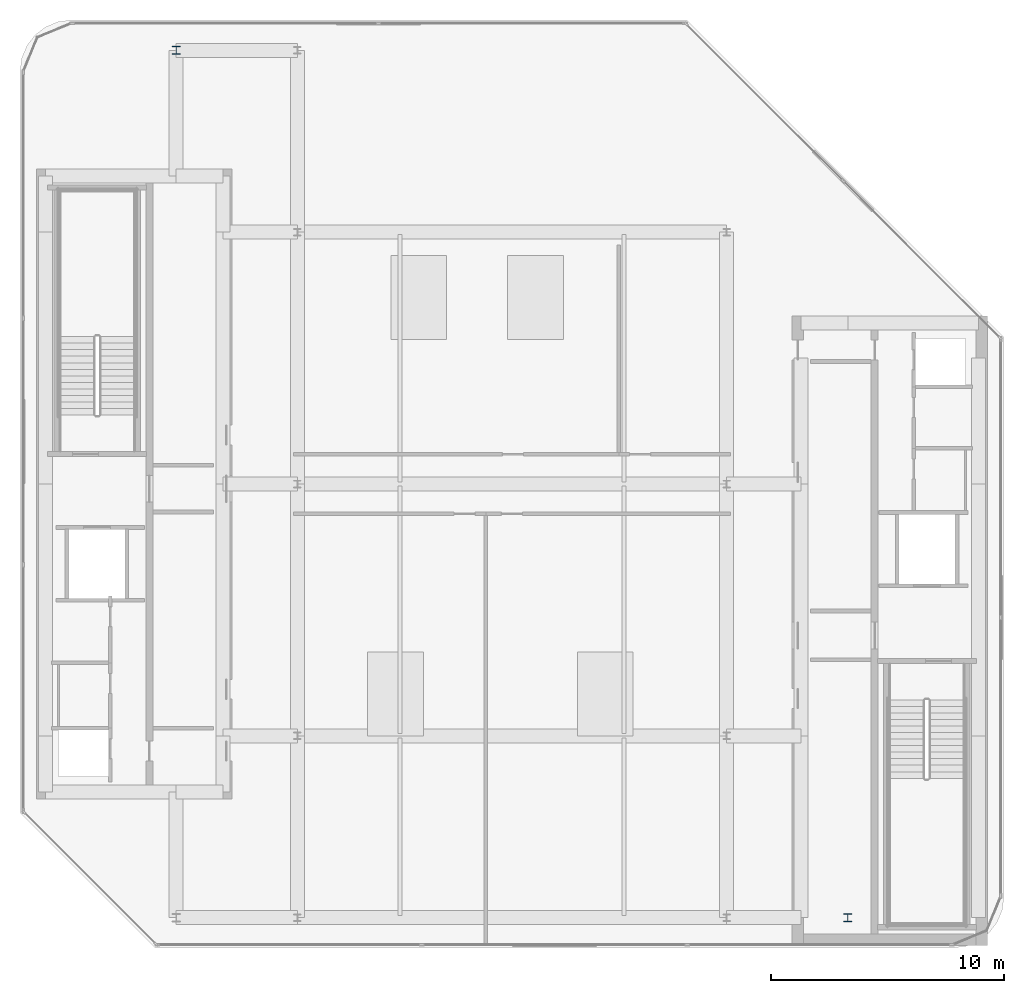
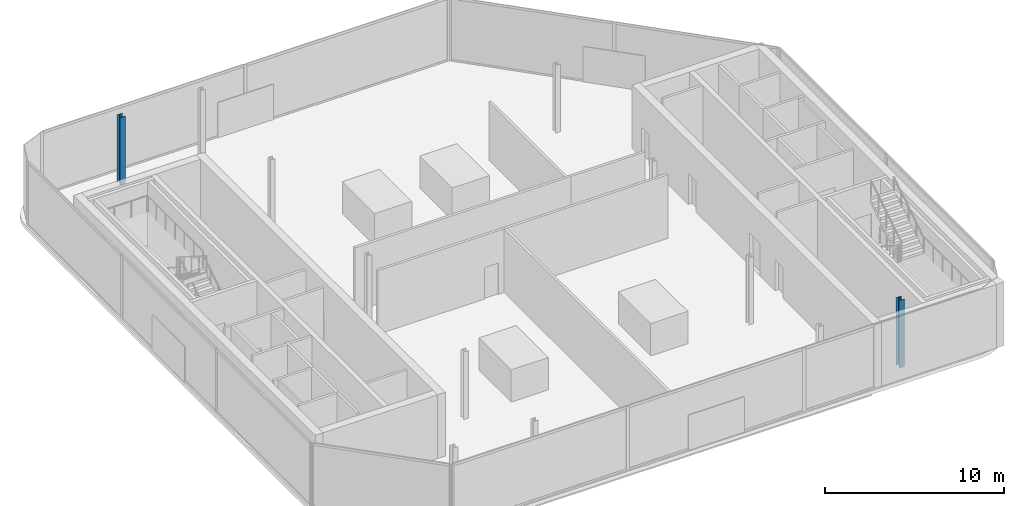
# One storey, part 2 of 15: 2 columns.
"""IFC4 building model written with IfcOpenShell, lengths in metres."""

import ifcopenshell
import ifcopenshell.guid

model = None  # the IFC model being written
_history = None  # IfcOwnerHistory: only IFC2X3 demands one
_inside = {}  # id of a spatial element -> (the spatial element, [elements in it])
_under = {}  # id of a project, library or spatial element -> (it, [spatial elements below it])
_declared = {}  # id of a project -> (the project, [libraries it declares])
_typed = {}  # id of a type object -> (the type object, [elements of that type])
_made_of = {}  # id of a material, layer set ... -> (it, [elements and type objects made of it])


def new_model(schema):
    """Start an empty IFC model of exactly this schema.

    Asked for "IFC4X3", IfcOpenShell would pick the latest addendum, in which some entities
    have other attributes; the version numbers below select the first issue.
    IFC2X3 requires an IfcOwnerHistory on every rooted entity: one is made here for all.
    """
    global model, _history
    if schema == "IFC4X3":
        model = ifcopenshell.file(schema_version=(4, 3, 0, 0))
    else:
        model = ifcopenshell.file(schema=schema)
    _inside.clear()
    _under.clear()
    _declared.clear()
    _typed.clear()
    _made_of.clear()
    _history = None
    if model.schema == "IFC2X3":
        org = make("IfcOrganization", Name="unknown")
        user = make(
            "IfcPersonAndOrganization",
            ThePerson=make("IfcPerson", FamilyName="unknown"),
            TheOrganization=org,
        )
        app = make(
            "IfcApplication",
            ApplicationDeveloper=org,
            Version="unknown",
            ApplicationFullName="unknown",
            ApplicationIdentifier="unknown",
        )
        _history = make(
            "IfcOwnerHistory",
            OwningUser=user,
            OwningApplication=app,
            ChangeAction="ADDED",
            CreationDate=0,
        )
    return model


def make(cls, **values):
    """One entity of the class cls with the attributes given. An attribute that is None is left unset."""
    return model.create_entity(
        cls, **{name: value for name, value in values.items() if value is not None}
    )


def rooted(cls, **values):
    """An entity with a GlobalId (a new one), such as an element, a storey or a relation."""
    return make(cls, GlobalId=ifcopenshell.guid.new(), OwnerHistory=_history, **values)


def si_unit(unit_type, name, prefix=None):
    """IfcSIUnit, for example si_unit("LENGTHUNIT", "METRE", prefix="MILLI")."""
    return make("IfcSIUnit", UnitType=unit_type, Prefix=prefix, Name=name)


def assignment(units):
    """IfcUnitAssignment: the units of a project."""
    return None if units is None else make("IfcUnitAssignment", Units=units)


def point(xyz):
    """IfcCartesianPoint."""
    return None if xyz is None else make("IfcCartesianPoint", Coordinates=xyz)


def direction(xyz):
    """IfcDirection."""
    return None if xyz is None else make("IfcDirection", DirectionRatios=xyz)


def frame(location, z_axis=None, x_axis=None):
    """IfcAxis2Placement3D, a coordinate frame: its origin and axes. An axis left out is left unset."""
    return make(
        "IfcAxis2Placement3D",
        Location=point(location),
        Axis=direction(z_axis),
        RefDirection=direction(x_axis),
    )


def frame_2d(location, x_axis=None):
    """IfcAxis2Placement2D, a coordinate frame in the plane: its origin and x axis."""
    return make(
        "IfcAxis2Placement2D", Location=point(location), RefDirection=direction(x_axis)
    )


def origin():
    """The frame at (0, 0, 0) with its axes left unset."""
    return frame((0.0, 0.0, 0.0))


def origin_2d():
    """The frame at (0, 0) in the plane with its x axis left unset."""
    return frame_2d((0.0, 0.0))


def place(relative_to, where):
    """IfcLocalPlacement: puts the frame where relative to a parent placement (None: the world)."""
    return make(
        "IfcLocalPlacement", PlacementRelTo=relative_to, RelativePlacement=where
    )


def context(
    kind, dimensions, precision=None, world=None, true_north=None, identifier=None
):
    """IfcGeometricRepresentationContext, for example the 3D "Model" context."""
    return make(
        "IfcGeometricRepresentationContext",
        ContextIdentifier=identifier,
        ContextType=kind,
        CoordinateSpaceDimension=dimensions,
        Precision=precision,
        WorldCoordinateSystem=world,
        TrueNorth=true_north,
    )


def subcontext(parent, identifier, kind, view, scale=None):
    """IfcGeometricRepresentationSubContext, for example "Body" below "Model"."""
    return make(
        "IfcGeometricRepresentationSubContext",
        ContextIdentifier=identifier,
        ContextType=kind,
        ParentContext=parent,
        TargetScale=scale,
        TargetView=view,
    )


def project(units=None, contexts=None):
    """IfcProject with its units and contexts."""
    return rooted(
        "IfcProject",
        Name="project",
        RepresentationContexts=contexts,
        UnitsInContext=assignment(units),
    )


def spatial(cls, under=None, at=None, **own):
    """A site, building, storey or space (cls), placed at a placement, below another one or the project."""
    s = rooted(cls, ObjectPlacement=at, **own)
    if under is not None:
        _under.setdefault(under.id(), (under, []))[1].append(s)
    return s


def profile(cls, at=None, kind="AREA", **sizes):
    """A parametric profile (cls). Its sizes go by their IFC names, for example OverallWidth=200.0."""
    return make(cls, ProfileType=kind, Position=at, **sizes)


def i_section(**sizes):
    """IfcIShapeProfileDef."""
    return profile("IfcIShapeProfileDef", **sizes)


def extrude(swept, where, along, depth):
    """IfcExtrudedAreaSolid: the profile swept, set in the frame where, extruded along a direction by depth."""
    return make(
        "IfcExtrudedAreaSolid",
        SweptArea=swept,
        Position=where,
        ExtrudedDirection=direction(along),
        Depth=depth,
    )


def shape(context_of_items, identifier, shape_type, items):
    """IfcShapeRepresentation: the items that make up one representation, for example the "Body"."""
    return make(
        "IfcShapeRepresentation",
        ContextOfItems=context_of_items,
        RepresentationIdentifier=identifier,
        RepresentationType=shape_type,
        Items=items,
    )


def material(Name=None, Category=None):
    """IfcMaterial."""
    return make("IfcMaterial", Name=Name, Category=Category)


def material_profile(
    of_material, cross_section, Name=None, Category=None, Priority=None
):
    """IfcMaterialProfile: a cross section and its material."""
    return make(
        "IfcMaterialProfile",
        Name=Name,
        Material=of_material,
        Profile=cross_section,
        Priority=Priority,
        Category=Category,
    )


def profile_set(profiles, Name=None, composite=None):
    """IfcMaterialProfileSet."""
    return make(
        "IfcMaterialProfileSet",
        Name=Name,
        MaterialProfiles=profiles,
        CompositeProfile=composite,
    )


def made_of(thing, what):
    """Note that an element or type object is made of a material, layer set ...; save() writes the relation."""
    if what is not None:
        _made_of.setdefault(what.id(), (what, []))[1].append(thing)
    return thing


def type_object(cls, material=None, **own):
    """A type object (cls), such as IfcWallType, which elements share."""
    return made_of(rooted(cls, **own), material)


def element(
    cls,
    number,
    at=None,
    inside=None,
    cuts=None,
    type_object=None,
    material=None,
    context=None,
    identifier="Body",
    shape_type=None,
    held_by="IfcProductDefinitionShape",
    body=None,
    shapes=None,
    **own,
):
    """One element of the class cls, such as IfcWall. Its Tag is "e" and its number.

    at: its placement. inside: the storey or other place that contains it. cuts: it is an
    opening in that element (IfcRelVoidsElement). A single representation is given by context,
    identifier, shape_type and body (its items); several are given by shapes. held_by: the class
    of the entity that holds the representations. save() writes the other relations.
    """
    e = rooted(cls, Tag="e%d" % number, ObjectPlacement=at, **own)
    if body is not None:
        shapes = [shape(context, identifier, shape_type, body)]
    if shapes is not None:
        e.Representation = make(held_by, Representations=shapes)
    if inside is not None:
        _inside.setdefault(inside.id(), (inside, []))[1].append(e)
    if cuts is not None:
        rooted(
            "IfcRelVoidsElement", RelatingBuildingElement=cuts, RelatedOpeningElement=e
        )
    if type_object is not None:
        _typed.setdefault(type_object.id(), (type_object, []))[1].append(e)
    return made_of(e, material)


def aggregate(whole, parts):
    """IfcRelAggregates: a whole, such as a stair, and the parts it consists of."""
    return rooted("IfcRelAggregates", RelatingObject=whole, RelatedObjects=parts)


def save(model, path):
    """Write the relations noted so far, then the file.

    IfcRelAggregates (storeys below a building ...), IfcRelContainedInSpatialStructure (elements
    in a storey), IfcRelDefinesByType, IfcRelAssociatesMaterial and IfcRelDeclares: one each for
    every whole, place, type object, material and project.
    """
    for whole, parts in _under.values():
        aggregate(whole, parts)
    for where, things in _inside.values():
        rooted(
            "IfcRelContainedInSpatialStructure",
            RelatedElements=things,
            RelatingStructure=where,
        )
    for kind, things in _typed.values():
        rooted("IfcRelDefinesByType", RelatedObjects=things, RelatingType=kind)
    for what, things in _made_of.values():
        rooted("IfcRelAssociatesMaterial", RelatedObjects=things, RelatingMaterial=what)
    for by, libraries in _declared.values():
        rooted("IfcRelDeclares", RelatingContext=by, RelatedDefinitions=libraries)
    model.write(path)


model = new_model("IFC4")

# Units and contexts
model_context = context("Model", 3, precision=1e-05, world=origin(), true_north=direction((0.0, 1.0)))
body_context = subcontext(model_context, "Body", "Model", "MODEL_VIEW")
ifc_project = project(units=[si_unit("LENGTHUNIT", "METRE"), si_unit("AREAUNIT", "SQUARE_METRE"), si_unit("VOLUMEUNIT", "CUBIC_METRE"), si_unit("PLANEANGLEUNIT", "RADIAN"), si_unit("MASSUNIT", "GRAM", prefix="KILO")], contexts=[model_context])

# Site, building, storey
site_placement = place(None, origin())
site = spatial("IfcSite", under=ifc_project, at=site_placement, CompositionType="ELEMENT")
building_placement = place(site_placement, origin())
building = spatial("IfcBuilding", under=site, at=building_placement, Name="Khairoan Windgate Tower", CompositionType="ELEMENT")
storey_placement = place(building_placement, frame((0.0, 0.0, 330.39990234375)))
storey = spatial("IfcBuildingStorey", under=building, at=storey_placement, Name="L79", CompositionType="ELEMENT", Elevation=330.39990234375)

# Columns
ifc_material = material(Name="Steel S355", Category="steel")
ifc_material_profile = material_profile(ifc_material, i_section(OverallWidth=0.35009765625, OverallDepth=0.35009765625, WebThickness=0.011962890625, FlangeThickness=0.01904296875, FilletRadius=0.02001953125, at=origin_2d()))
ifc_profile_set = profile_set([ifc_material_profile], Name="Steel S355")
column_type = type_object("IfcColumnType", Name="Steel Column SC5 H350x350x12x19", PredefinedType="COLUMN", material=ifc_profile_set)
for number, where, z_axis, x_axis, name in (
    (1, (-14.39990234375, 18.60009765625, 0.0), (0.0, 0.0, 1.0), (1.0, 0.0, 0.0), "Column L79-11"),
    (2, (14.39990234375, -18.60009765625, 0.0), (0.0, 0.0, 1.0), (1.0, 0.0, 0.0), "Column L79-12"),
):
    element("IfcColumn", number, at=place(storey_placement, frame(where, z_axis=z_axis, x_axis=x_axis)), inside=storey, type_object=column_type, Name=name, PredefinedType="COLUMN", context=body_context, shape_type="SweptSolid", body=[
        extrude(i_section(OverallWidth=0.35009765625, OverallDepth=0.35009765625, WebThickness=0.011962890625, FlangeThickness=0.01904296875, FilletRadius=0.02001953125, at=origin_2d()), origin(), (0.0, 0.0, 1.0), 4.60009765625),
    ])

save(model, "model.ifc")
